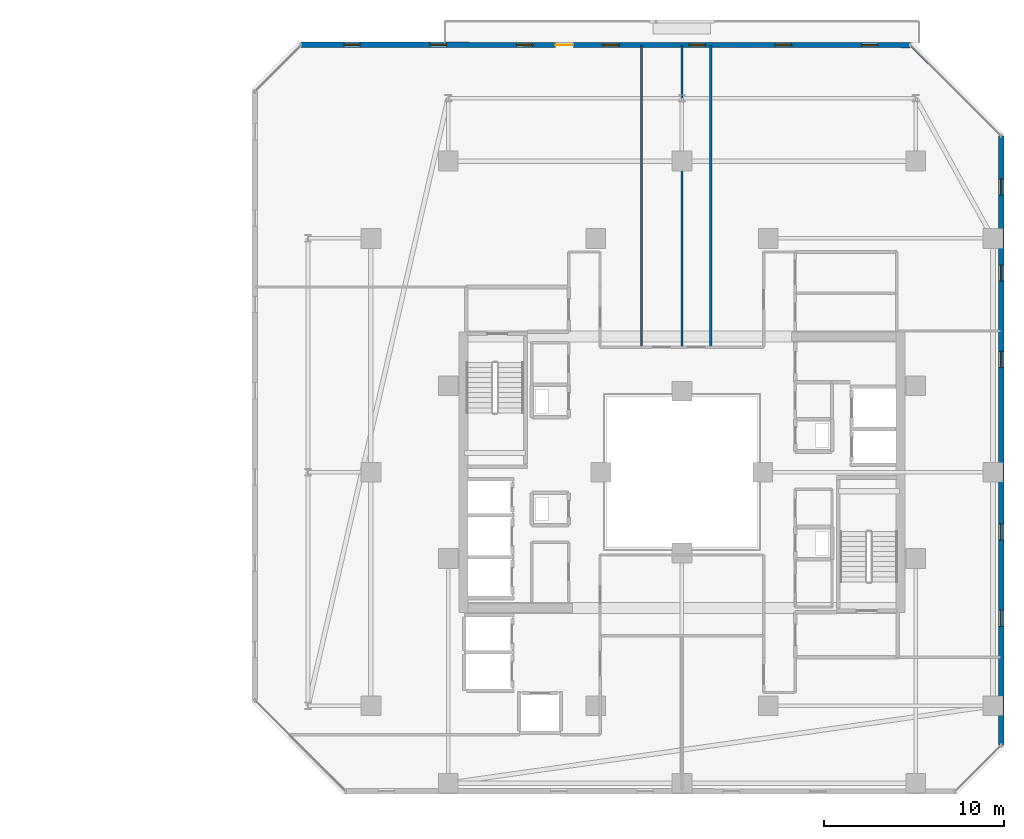
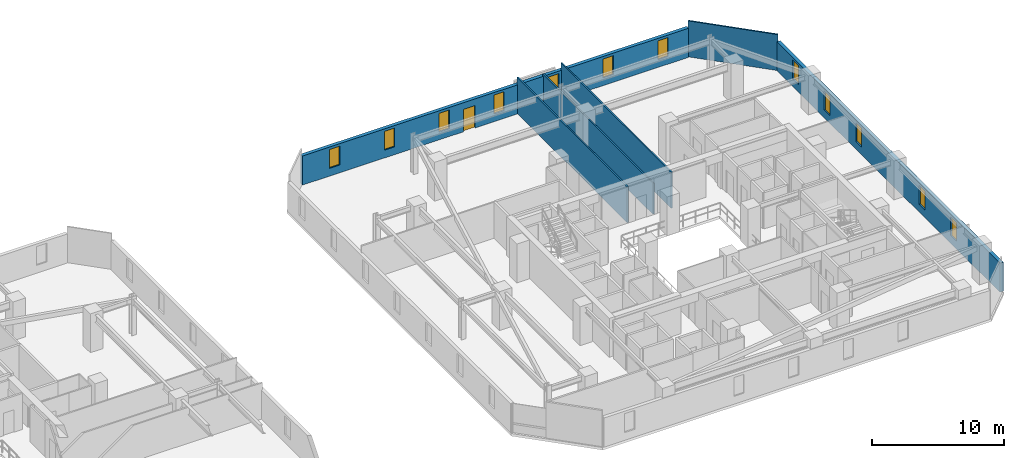
# One storey, part 26 of 33: 12 windows, 6 walls, 1 door, 13 openings.
"""IFC4 building model written with IfcOpenShell, lengths in metres."""

from ifc_helpers import new_model, si_unit, direction, frame, frame_2d, origin, place, context, subcontext, project, spatial, rectangle, extrude, material, layer, layer_set, type_object, element, fill, save


model = new_model("IFC4")

# Units and contexts
model_context = context("Model", 3, precision=1e-05, world=origin(), true_north=direction((0.0, 1.0)))
body_context = subcontext(model_context, "Body", "Model", "MODEL_VIEW")
ifc_project = project(units=[si_unit("LENGTHUNIT", "METRE"), si_unit("AREAUNIT", "SQUARE_METRE"), si_unit("VOLUMEUNIT", "CUBIC_METRE"), si_unit("PLANEANGLEUNIT", "RADIAN"), si_unit("MASSUNIT", "GRAM", prefix="KILO")], contexts=[model_context])

# Site, building, storey
site_placement = place(None, origin())
site = spatial("IfcSite", under=ifc_project, at=site_placement, CompositionType="ELEMENT")
building_placement = place(site_placement, origin())
building = spatial("IfcBuilding", under=site, at=building_placement, Name="Thornwick Lancets Civic Towers", CompositionType="ELEMENT")
storey_placement = place(building_placement, frame((0.0, 0.0, 189.300048828125)))
storey = spatial("IfcBuildingStorey", under=building, at=storey_placement, Name="L50", CompositionType="ELEMENT", Elevation=189.300048828125)

# Wall, openings, windows
ifc_material_1 = material(Name="Insulated russet terracotta rainscreen on concrete C40/50", Category="masonry")
ifc_layer_1 = layer(ifc_material_1, 0.300048828125, Name="Insulated russet terracotta rainscreen on concrete C40/50")
ifc_layer_set_1 = layer_set([ifc_layer_1], Name="Insulated russet terracotta rainscreen on concrete C40/50")
wall_type_1 = type_object("IfcWallType", Name="WALL_EXT_RUSSET_300", PredefinedType="STANDARD", material=ifc_layer_set_1)
wall_1_placement = place(storey_placement, frame((106.2646484375, 11.818603515625, 0.0), z_axis=(0.0, 0.0, 1.0), x_axis=(-0.000244999128, 0.999999969988, 0.0)))
wall_1 = element("IfcWall", 1, at=wall_1_placement, inside=storey, type_object=wall_type_1, Name="L50 Tower B Terracotta Facade Wall E2", PredefinedType="STANDARD", context=body_context, shape_type="SweptSolid", body=[
    extrude(rectangle(XDim=33.880859375, YDim=0.300048828125, at=frame_2d((16.9404296875, 0.0))), origin(), (0.0, 0.0, 1.0), 2.699951171875),
])
opening_1_placement = place(wall_1_placement, frame((6.60009765625, 0.0, 0.719970703125)))
opening_1 = element("IfcOpeningElement", 2, at=opening_1_placement, cuts=wall_1, Name="Opening WL-01", PredefinedType="OPENING", context=body_context, shape_type="SweptSolid", body=[
    extrude(rectangle(XDim=0.89990234375, YDim=1.75, at=frame_2d((0.449951171875, 0.875))), frame((0.0, 0.16015625, 0.0), z_axis=(0.0, -1.0, 0.0), x_axis=(1.0, 0.0, 0.0)), (0.0, 0.0, 1.0), 0.320068359375),
])
opening_2_placement = place(wall_1_placement, frame((11.39990234375, 0.0, 0.719970703125)))
opening_2 = element("IfcOpeningElement", 3, at=opening_2_placement, cuts=wall_1, Name="Opening WL-01", PredefinedType="OPENING", context=body_context, shape_type="SweptSolid", body=[
    extrude(rectangle(XDim=0.89990234375, YDim=1.75, at=frame_2d((0.449951171875, 0.875))), frame((0.0, 0.16015625, 0.0), z_axis=(0.0, -1.0, 0.0), x_axis=(1.0, 0.0, 0.0)), (0.0, 0.0, 1.0), 0.320068359375),
])
opening_3_placement = place(wall_1_placement, frame((21.0, 0.0, 0.719970703125)))
opening_3 = element("IfcOpeningElement", 4, at=opening_3_placement, cuts=wall_1, Name="Opening WL-01", PredefinedType="OPENING", context=body_context, shape_type="SweptSolid", body=[
    extrude(rectangle(XDim=0.89990234375, YDim=1.75, at=frame_2d((0.449951171875, 0.875))), frame((0.0, 0.16015625, 0.0), z_axis=(0.0, -1.0, 0.0), x_axis=(1.0, 0.0, 0.0)), (0.0, 0.0, 1.0), 0.320068359375),
])
opening_4_placement = place(wall_1_placement, frame((25.800048828125, 0.0, 0.719970703125)))
opening_4 = element("IfcOpeningElement", 5, at=opening_4_placement, cuts=wall_1, Name="Opening WL-01", PredefinedType="OPENING", context=body_context, shape_type="SweptSolid", body=[
    extrude(rectangle(XDim=0.89990234375, YDim=1.75, at=frame_2d((0.449951171875, 0.875))), frame((0.0, 0.16015625, 0.0), z_axis=(0.0, -1.0, 0.0), x_axis=(1.0, 0.0, 0.0)), (0.0, 0.0, 1.0), 0.320068359375),
])
opening_5_placement = place(wall_1_placement, frame((30.60009765625, 0.0, 0.719970703125)))
opening_5 = element("IfcOpeningElement", 6, at=opening_5_placement, cuts=wall_1, Name="Opening WL-01", PredefinedType="OPENING", context=body_context, shape_type="SweptSolid", body=[
    extrude(rectangle(XDim=0.89990234375, YDim=1.75, at=frame_2d((0.449951171875, 0.875))), frame((0.0, 0.16015625, 0.0), z_axis=(0.0, -1.0, 0.0), x_axis=(1.0, 0.0, 0.0)), (0.0, 0.0, 1.0), 0.320068359375),
])
ifc_material_2 = material(Name="Clear low-e double glazing in bronze frame", Category="glass")
window_type = type_object("IfcWindowType", Name="WIN_LANCET_900", PartitioningType="SINGLE_PANEL", PredefinedType="WINDOW", material=ifc_material_2)
window_1_placement = place(opening_1_placement, origin())
window_1 = element("IfcWindow", 7, at=window_1_placement, inside=storey, type_object=window_type, Name="L50 Tower B Staggered Lancet Window E2-1", OverallHeight=1.75, OverallWidth=0.89990234375, PartitioningType="SINGLE_PANEL", PredefinedType="WINDOW", context=body_context, shape_type="SweptSolid", body=[
    extrude(rectangle(XDim=0.89990234375, YDim=1.75, at=frame_2d((0.449951171875, 0.875))), frame((0.0, 0.030029296875, 0.0), z_axis=(0.0, -1.0, 0.0), x_axis=(1.0, 0.0, 0.0)), (0.0, 0.0, 1.0), 0.06005859375),
])
fill(opening_1, window_1)
window_2_placement = place(opening_2_placement, origin())
window_2 = element("IfcWindow", 8, at=window_2_placement, inside=storey, type_object=window_type, Name="L50 Tower B Staggered Lancet Window E2-2", OverallHeight=1.75, OverallWidth=0.89990234375, PartitioningType="SINGLE_PANEL", PredefinedType="WINDOW", context=body_context, shape_type="SweptSolid", body=[
    extrude(rectangle(XDim=0.89990234375, YDim=1.75, at=frame_2d((0.449951171875, 0.875))), frame((0.0, 0.030029296875, 0.0), z_axis=(0.0, -1.0, 0.0), x_axis=(1.0, 0.0, 0.0)), (0.0, 0.0, 1.0), 0.06005859375),
])
fill(opening_2, window_2)
window_3_placement = place(opening_3_placement, origin())
window_3 = element("IfcWindow", 9, at=window_3_placement, inside=storey, type_object=window_type, Name="L50 Tower B Staggered Lancet Window E2-3", OverallHeight=1.75, OverallWidth=0.89990234375, PartitioningType="SINGLE_PANEL", PredefinedType="WINDOW", context=body_context, shape_type="SweptSolid", body=[
    extrude(rectangle(XDim=0.89990234375, YDim=1.75, at=frame_2d((0.449951171875, 0.875))), frame((0.0, 0.030029296875, 0.0), z_axis=(0.0, -1.0, 0.0), x_axis=(1.0, 0.0, 0.0)), (0.0, 0.0, 1.0), 0.06005859375),
])
fill(opening_3, window_3)
window_4_placement = place(opening_4_placement, origin())
window_4 = element("IfcWindow", 10, at=window_4_placement, inside=storey, type_object=window_type, Name="L50 Tower B Staggered Lancet Window E2-4", OverallHeight=1.75, OverallWidth=0.89990234375, PartitioningType="SINGLE_PANEL", PredefinedType="WINDOW", context=body_context, shape_type="SweptSolid", body=[
    extrude(rectangle(XDim=0.89990234375, YDim=1.75, at=frame_2d((0.449951171875, 0.875))), frame((0.0, 0.030029296875, 0.0), z_axis=(0.0, -1.0, 0.0), x_axis=(1.0, 0.0, 0.0)), (0.0, 0.0, 1.0), 0.06005859375),
])
fill(opening_4, window_4)
window_5_placement = place(opening_5_placement, origin())
window_5 = element("IfcWindow", 11, at=window_5_placement, inside=storey, type_object=window_type, Name="L50 Tower B Staggered Lancet Window E2-5", OverallHeight=1.75, OverallWidth=0.89990234375, PartitioningType="SINGLE_PANEL", PredefinedType="WINDOW", context=body_context, shape_type="SweptSolid", body=[
    extrude(rectangle(XDim=0.89990234375, YDim=1.75, at=frame_2d((0.449951171875, 0.875))), frame((0.0, 0.030029296875, 0.0), z_axis=(0.0, -1.0, 0.0), x_axis=(1.0, 0.0, 0.0)), (0.0, 0.0, 1.0), 0.06005859375),
])
fill(opening_5, window_5)

# Wall, openings, door, windows
wall_2_placement = place(storey_placement, frame((101.199462890625, 50.75634765625, 0.0), z_axis=(0.0, 0.0, 1.0), x_axis=(-0.999999969988, 0.000244999128, 0.0)))
wall_2 = element("IfcWall", 12, at=wall_2_placement, inside=storey, type_object=wall_type_1, Name="L50 Tower B Terracotta Facade Wall E4", PredefinedType="STANDARD", context=body_context, shape_type="SweptSolid", body=[
    extrude(rectangle(XDim=33.880859375, YDim=0.300048828125, at=frame_2d((16.9404296875, 0.0))), origin(), (0.0, 0.0, 1.0), 2.699951171875),
])
opening_6_placement = place(wall_2_placement, frame((18.740478515625, 0.0, 0.0)))
opening_6 = element("IfcOpeningElement", 13, at=opening_6_placement, cuts=wall_2, Name="Opening D-BL-L50-BN", PredefinedType="OPENING", context=body_context, shape_type="SweptSolid", body=[
    extrude(rectangle(XDim=1.0, YDim=2.080078125, at=frame_2d((0.5, 1.0400390625))), frame((0.0, 0.16015625, 0.0), z_axis=(0.0, -1.0, 0.0), x_axis=(1.0, 0.0, 0.0)), (0.0, 0.0, 1.0), 0.320068359375),
])
opening_7_placement = place(wall_2_placement, frame((1.800048828125, 0.0, 0.719970703125)))
opening_7 = element("IfcOpeningElement", 14, at=opening_7_placement, cuts=wall_2, Name="Opening WL-01", PredefinedType="OPENING", context=body_context, shape_type="SweptSolid", body=[
    extrude(rectangle(XDim=0.89990234375, YDim=1.75, at=frame_2d((0.449951171875, 0.875))), frame((0.0, 0.16015625, 0.0), z_axis=(0.0, -1.0, 0.0), x_axis=(1.0, 0.0, 0.0)), (0.0, 0.0, 1.0), 0.320068359375),
])
opening_8_placement = place(wall_2_placement, frame((6.60009765625, 0.0, 0.719970703125)))
opening_8 = element("IfcOpeningElement", 15, at=opening_8_placement, cuts=wall_2, Name="Opening WL-01", PredefinedType="OPENING", context=body_context, shape_type="SweptSolid", body=[
    extrude(rectangle(XDim=0.89990234375, YDim=1.75, at=frame_2d((0.449951171875, 0.875))), frame((0.0, 0.16015625, 0.0), z_axis=(0.0, -1.0, 0.0), x_axis=(1.0, 0.0, 0.0)), (0.0, 0.0, 1.0), 0.320068359375),
])
opening_9_placement = place(wall_2_placement, frame((11.39990234375, 0.0, 0.719970703125)))
opening_9 = element("IfcOpeningElement", 16, at=opening_9_placement, cuts=wall_2, Name="Opening WL-01", PredefinedType="OPENING", context=body_context, shape_type="SweptSolid", body=[
    extrude(rectangle(XDim=0.89990234375, YDim=1.75, at=frame_2d((0.449951171875, 0.875))), frame((0.0, 0.16015625, 0.0), z_axis=(0.0, -1.0, 0.0), x_axis=(1.0, 0.0, 0.0)), (0.0, 0.0, 1.0), 0.320068359375),
])
opening_10_placement = place(wall_2_placement, frame((16.199951171875, 0.0, 0.719970703125)))
opening_10 = element("IfcOpeningElement", 17, at=opening_10_placement, cuts=wall_2, Name="Opening WL-01", PredefinedType="OPENING", context=body_context, shape_type="SweptSolid", body=[
    extrude(rectangle(XDim=0.89990234375, YDim=1.75, at=frame_2d((0.449951171875, 0.875))), frame((0.0, 0.16015625, 0.0), z_axis=(0.0, -1.0, 0.0), x_axis=(1.0, 0.0, 0.0)), (0.0, 0.0, 1.0), 0.320068359375),
])
opening_11_placement = place(wall_2_placement, frame((21.0, 0.0, 0.719970703125)))
opening_11 = element("IfcOpeningElement", 18, at=opening_11_placement, cuts=wall_2, Name="Opening WL-01", PredefinedType="OPENING", context=body_context, shape_type="SweptSolid", body=[
    extrude(rectangle(XDim=0.89990234375, YDim=1.75, at=frame_2d((0.449951171875, 0.875))), frame((0.0, 0.16015625, 0.0), z_axis=(0.0, -1.0, 0.0), x_axis=(1.0, 0.0, 0.0)), (0.0, 0.0, 1.0), 0.320068359375),
])
opening_12_placement = place(wall_2_placement, frame((25.800048828125, 0.0, 0.719970703125)))
opening_12 = element("IfcOpeningElement", 19, at=opening_12_placement, cuts=wall_2, Name="Opening WL-01", PredefinedType="OPENING", context=body_context, shape_type="SweptSolid", body=[
    extrude(rectangle(XDim=0.89990234375, YDim=1.75, at=frame_2d((0.449951171875, 0.875))), frame((0.0, 0.16015625, 0.0), z_axis=(0.0, -1.0, 0.0), x_axis=(1.0, 0.0, 0.0)), (0.0, 0.0, 1.0), 0.320068359375),
])
opening_13_placement = place(wall_2_placement, frame((30.60009765625, 0.0, 0.719970703125)))
opening_13 = element("IfcOpeningElement", 20, at=opening_13_placement, cuts=wall_2, Name="Opening WL-01", PredefinedType="OPENING", context=body_context, shape_type="SweptSolid", body=[
    extrude(rectangle(XDim=0.89990234375, YDim=1.75, at=frame_2d((0.449951171875, 0.875))), frame((0.0, 0.16015625, 0.0), z_axis=(0.0, -1.0, 0.0), x_axis=(1.0, 0.0, 0.0)), (0.0, 0.0, 1.0), 0.320068359375),
])
ifc_material_3 = material(Name="Thermally broken glazed loggia doorset")
door_type = type_object("IfcDoorType", Name="DOOR_BALC_1000", OperationType="NOTDEFINED", PredefinedType="DOOR", material=ifc_material_3)
door_placement = place(opening_6_placement, origin())
door = element("IfcDoor", 21, at=door_placement, inside=storey, type_object=door_type, Name="L50 Tower B Loggia Balcony Door N", OperationType="SINGLE_SWING_LEFT", OverallHeight=2.080078125, OverallWidth=1.0, PredefinedType="DOOR", context=body_context, shape_type="SweptSolid", body=[
    extrude(rectangle(XDim=1.0, YDim=2.080078125, at=frame_2d((0.5, 1.0400390625))), frame((0.0, 0.02490234375, 0.0), z_axis=(0.0, -1.0, 0.0), x_axis=(1.0, 0.0, 0.0)), (0.0, 0.0, 1.0), 0.050048828125),
])
fill(opening_6, door)
window_6_placement = place(opening_7_placement, origin())
window_6 = element("IfcWindow", 22, at=window_6_placement, inside=storey, type_object=window_type, Name="L50 Tower B Staggered Lancet Window E4-1", OverallHeight=1.75, OverallWidth=0.89990234375, PartitioningType="SINGLE_PANEL", PredefinedType="WINDOW", context=body_context, shape_type="SweptSolid", body=[
    extrude(rectangle(XDim=0.89990234375, YDim=1.75, at=frame_2d((0.449951171875, 0.875))), frame((0.0, 0.030029296875, 0.0), z_axis=(0.0, -1.0, 0.0), x_axis=(1.0, 0.0, 0.0)), (0.0, 0.0, 1.0), 0.06005859375),
])
fill(opening_7, window_6)
window_7_placement = place(opening_8_placement, origin())
window_7 = element("IfcWindow", 23, at=window_7_placement, inside=storey, type_object=window_type, Name="L50 Tower B Staggered Lancet Window E4-2", OverallHeight=1.75, OverallWidth=0.89990234375, PartitioningType="SINGLE_PANEL", PredefinedType="WINDOW", context=body_context, shape_type="SweptSolid", body=[
    extrude(rectangle(XDim=0.89990234375, YDim=1.75, at=frame_2d((0.449951171875, 0.875))), frame((0.0, 0.030029296875, 0.0), z_axis=(0.0, -1.0, 0.0), x_axis=(1.0, 0.0, 0.0)), (0.0, 0.0, 1.0), 0.06005859375),
])
fill(opening_8, window_7)
window_8_placement = place(opening_9_placement, origin())
window_8 = element("IfcWindow", 24, at=window_8_placement, inside=storey, type_object=window_type, Name="L50 Tower B Staggered Lancet Window E4-3", OverallHeight=1.75, OverallWidth=0.89990234375, PartitioningType="SINGLE_PANEL", PredefinedType="WINDOW", context=body_context, shape_type="SweptSolid", body=[
    extrude(rectangle(XDim=0.89990234375, YDim=1.75, at=frame_2d((0.449951171875, 0.875))), frame((0.0, 0.030029296875, 0.0), z_axis=(0.0, -1.0, 0.0), x_axis=(1.0, 0.0, 0.0)), (0.0, 0.0, 1.0), 0.06005859375),
])
fill(opening_9, window_8)
window_9_placement = place(opening_10_placement, origin())
window_9 = element("IfcWindow", 25, at=window_9_placement, inside=storey, type_object=window_type, Name="L50 Tower B Staggered Lancet Window E4-4", OverallHeight=1.75, OverallWidth=0.89990234375, PartitioningType="SINGLE_PANEL", PredefinedType="WINDOW", context=body_context, shape_type="SweptSolid", body=[
    extrude(rectangle(XDim=0.89990234375, YDim=1.75, at=frame_2d((0.449951171875, 0.875))), frame((0.0, 0.030029296875, 0.0), z_axis=(0.0, -1.0, 0.0), x_axis=(1.0, 0.0, 0.0)), (0.0, 0.0, 1.0), 0.06005859375),
])
fill(opening_10, window_9)
window_10_placement = place(opening_11_placement, origin())
window_10 = element("IfcWindow", 26, at=window_10_placement, inside=storey, type_object=window_type, Name="L50 Tower B Staggered Lancet Window E4-5", OverallHeight=1.75, OverallWidth=0.89990234375, PartitioningType="SINGLE_PANEL", PredefinedType="WINDOW", context=body_context, shape_type="SweptSolid", body=[
    extrude(rectangle(XDim=0.89990234375, YDim=1.75, at=frame_2d((0.449951171875, 0.875))), frame((0.0, 0.030029296875, 0.0), z_axis=(0.0, -1.0, 0.0), x_axis=(1.0, 0.0, 0.0)), (0.0, 0.0, 1.0), 0.06005859375),
])
fill(opening_11, window_10)
window_11_placement = place(opening_12_placement, origin())
window_11 = element("IfcWindow", 27, at=window_11_placement, inside=storey, type_object=window_type, Name="L50 Tower B Staggered Lancet Window E4-6", OverallHeight=1.75, OverallWidth=0.89990234375, PartitioningType="SINGLE_PANEL", PredefinedType="WINDOW", context=body_context, shape_type="SweptSolid", body=[
    extrude(rectangle(XDim=0.89990234375, YDim=1.75, at=frame_2d((0.449951171875, 0.875))), frame((0.0, 0.030029296875, 0.0), z_axis=(0.0, -1.0, 0.0), x_axis=(1.0, 0.0, 0.0)), (0.0, 0.0, 1.0), 0.06005859375),
])
fill(opening_12, window_11)
window_12_placement = place(opening_13_placement, origin())
window_12 = element("IfcWindow", 28, at=window_12_placement, inside=storey, type_object=window_type, Name="L50 Tower B Staggered Lancet Window E4-7", OverallHeight=1.75, OverallWidth=0.89990234375, PartitioningType="SINGLE_PANEL", PredefinedType="WINDOW", context=body_context, shape_type="SweptSolid", body=[
    extrude(rectangle(XDim=0.89990234375, YDim=1.75, at=frame_2d((0.449951171875, 0.875))), frame((0.0, 0.030029296875, 0.0), z_axis=(0.0, -1.0, 0.0), x_axis=(1.0, 0.0, 0.0)), (0.0, 0.0, 1.0), 0.06005859375),
])
fill(opening_13, window_12)

# Walls
ifc_material_4 = material(Name="Acoustic gypsum board partition")
ifc_layer_2 = layer(ifc_material_4, 0.1201171875, Name="Acoustic gypsum board partition")
ifc_layer_set_2 = layer_set([ifc_layer_2], Name="Acoustic gypsum board partition")
wall_type_2 = type_object("IfcWallType", Name="WALL_PART_120", PredefinedType="PARTITIONING", material=ifc_layer_set_2)
wall_3_placement = place(storey_placement, frame((90.10009765625, 33.949951171875, 0.0), z_axis=(0.0, 0.0, 1.0), x_axis=(0.0, 1.0, 0.0)))
element("IfcWall", 29, at=wall_3_placement, inside=storey, type_object=wall_type_2, Name="L50 Partition L50-B-E1 E7", PredefinedType="PARTITIONING", context=body_context, shape_type="SweptSolid", body=[
    extrude(rectangle(XDim=16.77001953125, YDim=0.1201171875, at=frame_2d((8.385009765625, 0.0))), origin(), (0.0, 0.0, 1.0), 3.33984375),
])
wall_4_placement = place(storey_placement, frame((101.2333984375, 50.719970703125, 0.0), z_axis=(0.0, 0.0, 1.0), x_axis=(0.707106781187, -0.707106781187, 0.0)))
element("IfcWall", 30, at=wall_4_placement, inside=storey, type_object=wall_type_2, Name="L50 Partition L50-B-E1 E9", PredefinedType="PARTITIONING", context=body_context, shape_type="SweptSolid", body=[
    extrude(rectangle(XDim=7.052001953125, YDim=0.1201171875, at=frame_2d((3.52587890625, 0.0))), origin(), (0.0, 0.0, 1.0), 3.33984375),
])
wall_5_placement = place(storey_placement, frame((88.5, 33.949951171875, 0.0), z_axis=(0.0, 0.0, 1.0), x_axis=(0.0, 1.0, 0.0)))
element("IfcWall", 31, at=wall_5_placement, inside=storey, type_object=wall_type_2, Name="L50 Partition L50-B-E2 E1", PredefinedType="PARTITIONING", context=body_context, shape_type="SweptSolid", body=[
    extrude(rectangle(XDim=16.77001953125, YDim=0.1201171875, at=frame_2d((8.385009765625, 0.0))), origin(), (0.0, 0.0, 1.0), 2.877685546875),
])
wall_6_placement = place(storey_placement, frame((86.25, 33.949951171875, 0.0), z_axis=(0.0, 0.0, 1.0), x_axis=(0.0, 1.0, 0.0)))
element("IfcWall", 32, at=wall_6_placement, inside=storey, type_object=wall_type_2, Name="L50 Partition L50-B-E3 E1", PredefinedType="PARTITIONING", context=body_context, shape_type="SweptSolid", body=[
    extrude(rectangle(XDim=16.77001953125, YDim=0.1201171875, at=frame_2d((8.385009765625, 0.0))), origin(), (0.0, 0.0, 1.0), 3.33984375),
])

save(model, "model.ifc")
